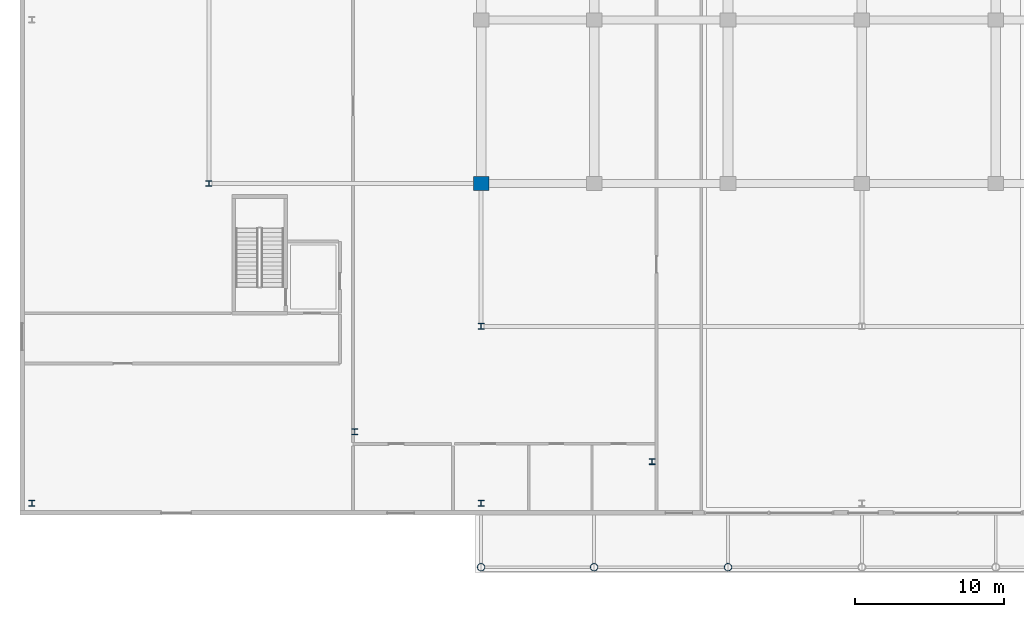
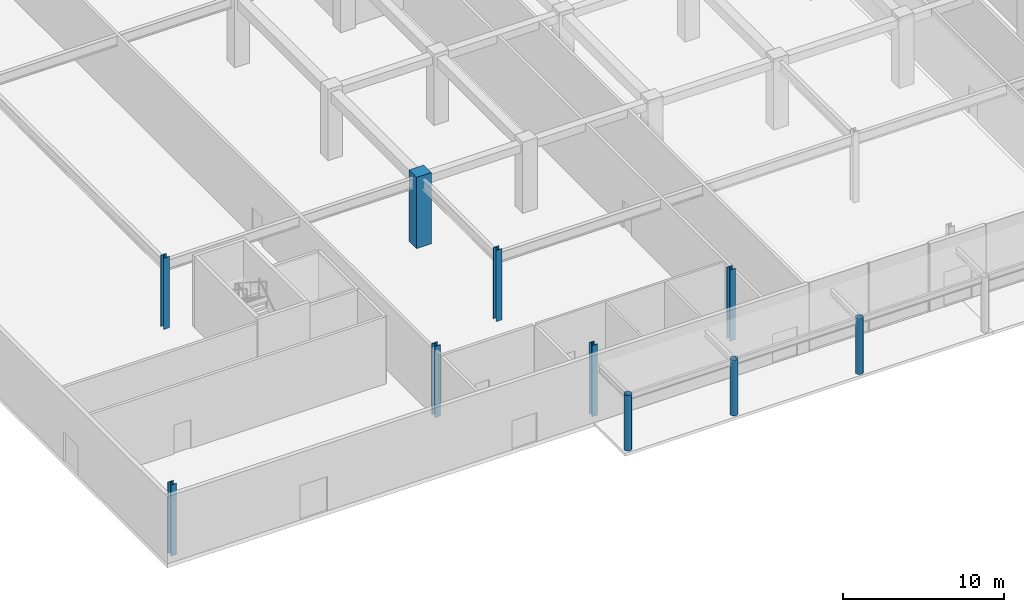
# One storey, part 1 of 46: 10 columns.
"""IFC4 building model written with IfcOpenShell, lengths in metres."""

import ifcopenshell
import ifcopenshell.guid

model = None  # the IFC model being written
_history = None  # IfcOwnerHistory: only IFC2X3 demands one
_inside = {}  # id of a spatial element -> (the spatial element, [elements in it])
_under = {}  # id of a project, library or spatial element -> (it, [spatial elements below it])
_declared = {}  # id of a project -> (the project, [libraries it declares])
_typed = {}  # id of a type object -> (the type object, [elements of that type])
_made_of = {}  # id of a material, layer set ... -> (it, [elements and type objects made of it])


def new_model(schema):
    """Start an empty IFC model of exactly this schema.

    Asked for "IFC4X3", IfcOpenShell would pick the latest addendum, in which some entities
    have other attributes; the version numbers below select the first issue.
    IFC2X3 requires an IfcOwnerHistory on every rooted entity: one is made here for all.
    """
    global model, _history
    if schema == "IFC4X3":
        model = ifcopenshell.file(schema_version=(4, 3, 0, 0))
    else:
        model = ifcopenshell.file(schema=schema)
    _inside.clear()
    _under.clear()
    _declared.clear()
    _typed.clear()
    _made_of.clear()
    _history = None
    if model.schema == "IFC2X3":
        org = make("IfcOrganization", Name="unknown")
        user = make(
            "IfcPersonAndOrganization",
            ThePerson=make("IfcPerson", FamilyName="unknown"),
            TheOrganization=org,
        )
        app = make(
            "IfcApplication",
            ApplicationDeveloper=org,
            Version="unknown",
            ApplicationFullName="unknown",
            ApplicationIdentifier="unknown",
        )
        _history = make(
            "IfcOwnerHistory",
            OwningUser=user,
            OwningApplication=app,
            ChangeAction="ADDED",
            CreationDate=0,
        )
    return model


def make(cls, **values):
    """One entity of the class cls with the attributes given. An attribute that is None is left unset."""
    return model.create_entity(
        cls, **{name: value for name, value in values.items() if value is not None}
    )


def rooted(cls, **values):
    """An entity with a GlobalId (a new one), such as an element, a storey or a relation."""
    return make(cls, GlobalId=ifcopenshell.guid.new(), OwnerHistory=_history, **values)


def si_unit(unit_type, name, prefix=None):
    """IfcSIUnit, for example si_unit("LENGTHUNIT", "METRE", prefix="MILLI")."""
    return make("IfcSIUnit", UnitType=unit_type, Prefix=prefix, Name=name)


def assignment(units):
    """IfcUnitAssignment: the units of a project."""
    return None if units is None else make("IfcUnitAssignment", Units=units)


def point(xyz):
    """IfcCartesianPoint."""
    return None if xyz is None else make("IfcCartesianPoint", Coordinates=xyz)


def direction(xyz):
    """IfcDirection."""
    return None if xyz is None else make("IfcDirection", DirectionRatios=xyz)


def frame(location, z_axis=None, x_axis=None):
    """IfcAxis2Placement3D, a coordinate frame: its origin and axes. An axis left out is left unset."""
    return make(
        "IfcAxis2Placement3D",
        Location=point(location),
        Axis=direction(z_axis),
        RefDirection=direction(x_axis),
    )


def frame_2d(location, x_axis=None):
    """IfcAxis2Placement2D, a coordinate frame in the plane: its origin and x axis."""
    return make(
        "IfcAxis2Placement2D", Location=point(location), RefDirection=direction(x_axis)
    )


def origin():
    """The frame at (0, 0, 0) with its axes left unset."""
    return frame((0.0, 0.0, 0.0))


def origin_2d():
    """The frame at (0, 0) in the plane with its x axis left unset."""
    return frame_2d((0.0, 0.0))


def place(relative_to, where):
    """IfcLocalPlacement: puts the frame where relative to a parent placement (None: the world)."""
    return make(
        "IfcLocalPlacement", PlacementRelTo=relative_to, RelativePlacement=where
    )


def context(
    kind, dimensions, precision=None, world=None, true_north=None, identifier=None
):
    """IfcGeometricRepresentationContext, for example the 3D "Model" context."""
    return make(
        "IfcGeometricRepresentationContext",
        ContextIdentifier=identifier,
        ContextType=kind,
        CoordinateSpaceDimension=dimensions,
        Precision=precision,
        WorldCoordinateSystem=world,
        TrueNorth=true_north,
    )


def subcontext(parent, identifier, kind, view, scale=None):
    """IfcGeometricRepresentationSubContext, for example "Body" below "Model"."""
    return make(
        "IfcGeometricRepresentationSubContext",
        ContextIdentifier=identifier,
        ContextType=kind,
        ParentContext=parent,
        TargetScale=scale,
        TargetView=view,
    )


def project(units=None, contexts=None):
    """IfcProject with its units and contexts."""
    return rooted(
        "IfcProject",
        Name="project",
        RepresentationContexts=contexts,
        UnitsInContext=assignment(units),
    )


def spatial(cls, under=None, at=None, **own):
    """A site, building, storey or space (cls), placed at a placement, below another one or the project."""
    s = rooted(cls, ObjectPlacement=at, **own)
    if under is not None:
        _under.setdefault(under.id(), (under, []))[1].append(s)
    return s


def profile(cls, at=None, kind="AREA", **sizes):
    """A parametric profile (cls). Its sizes go by their IFC names, for example OverallWidth=200.0."""
    return make(cls, ProfileType=kind, Position=at, **sizes)


def rectangle(**sizes):
    """IfcRectangleProfileDef."""
    return profile("IfcRectangleProfileDef", **sizes)


def hollow_circle(**sizes):
    """IfcCircleHollowProfileDef."""
    return profile("IfcCircleHollowProfileDef", **sizes)


def i_section(**sizes):
    """IfcIShapeProfileDef."""
    return profile("IfcIShapeProfileDef", **sizes)


def extrude(swept, where, along, depth):
    """IfcExtrudedAreaSolid: the profile swept, set in the frame where, extruded along a direction by depth."""
    return make(
        "IfcExtrudedAreaSolid",
        SweptArea=swept,
        Position=where,
        ExtrudedDirection=direction(along),
        Depth=depth,
    )


def shape(context_of_items, identifier, shape_type, items):
    """IfcShapeRepresentation: the items that make up one representation, for example the "Body"."""
    return make(
        "IfcShapeRepresentation",
        ContextOfItems=context_of_items,
        RepresentationIdentifier=identifier,
        RepresentationType=shape_type,
        Items=items,
    )


def material(Name=None, Category=None):
    """IfcMaterial."""
    return make("IfcMaterial", Name=Name, Category=Category)


def material_profile(
    of_material, cross_section, Name=None, Category=None, Priority=None
):
    """IfcMaterialProfile: a cross section and its material."""
    return make(
        "IfcMaterialProfile",
        Name=Name,
        Material=of_material,
        Profile=cross_section,
        Priority=Priority,
        Category=Category,
    )


def profile_set(profiles, Name=None, composite=None):
    """IfcMaterialProfileSet."""
    return make(
        "IfcMaterialProfileSet",
        Name=Name,
        MaterialProfiles=profiles,
        CompositeProfile=composite,
    )


def made_of(thing, what):
    """Note that an element or type object is made of a material, layer set ...; save() writes the relation."""
    if what is not None:
        _made_of.setdefault(what.id(), (what, []))[1].append(thing)
    return thing


def type_object(cls, material=None, **own):
    """A type object (cls), such as IfcWallType, which elements share."""
    return made_of(rooted(cls, **own), material)


def element(
    cls,
    number,
    at=None,
    inside=None,
    cuts=None,
    type_object=None,
    material=None,
    context=None,
    identifier="Body",
    shape_type=None,
    held_by="IfcProductDefinitionShape",
    body=None,
    shapes=None,
    **own,
):
    """One element of the class cls, such as IfcWall. Its Tag is "e" and its number.

    at: its placement. inside: the storey or other place that contains it. cuts: it is an
    opening in that element (IfcRelVoidsElement). A single representation is given by context,
    identifier, shape_type and body (its items); several are given by shapes. held_by: the class
    of the entity that holds the representations. save() writes the other relations.
    """
    e = rooted(cls, Tag="e%d" % number, ObjectPlacement=at, **own)
    if body is not None:
        shapes = [shape(context, identifier, shape_type, body)]
    if shapes is not None:
        e.Representation = make(held_by, Representations=shapes)
    if inside is not None:
        _inside.setdefault(inside.id(), (inside, []))[1].append(e)
    if cuts is not None:
        rooted(
            "IfcRelVoidsElement", RelatingBuildingElement=cuts, RelatedOpeningElement=e
        )
    if type_object is not None:
        _typed.setdefault(type_object.id(), (type_object, []))[1].append(e)
    return made_of(e, material)


def aggregate(whole, parts):
    """IfcRelAggregates: a whole, such as a stair, and the parts it consists of."""
    return rooted("IfcRelAggregates", RelatingObject=whole, RelatedObjects=parts)


def save(model, path):
    """Write the relations noted so far, then the file.

    IfcRelAggregates (storeys below a building ...), IfcRelContainedInSpatialStructure (elements
    in a storey), IfcRelDefinesByType, IfcRelAssociatesMaterial and IfcRelDeclares: one each for
    every whole, place, type object, material and project.
    """
    for whole, parts in _under.values():
        aggregate(whole, parts)
    for where, things in _inside.values():
        rooted(
            "IfcRelContainedInSpatialStructure",
            RelatedElements=things,
            RelatingStructure=where,
        )
    for kind, things in _typed.values():
        rooted("IfcRelDefinesByType", RelatedObjects=things, RelatingType=kind)
    for what, things in _made_of.values():
        rooted("IfcRelAssociatesMaterial", RelatedObjects=things, RelatingMaterial=what)
    for by, libraries in _declared.values():
        rooted("IfcRelDeclares", RelatingContext=by, RelatedDefinitions=libraries)
    model.write(path)


model = new_model("IFC4")

# Units and contexts
model_context = context("Model", 3, precision=1e-05, world=origin(), true_north=direction((0.0, 1.0)))
body_context = subcontext(model_context, "Body", "Model", "MODEL_VIEW")
ifc_project = project(units=[si_unit("LENGTHUNIT", "METRE"), si_unit("AREAUNIT", "SQUARE_METRE"), si_unit("VOLUMEUNIT", "CUBIC_METRE"), si_unit("PLANEANGLEUNIT", "RADIAN"), si_unit("MASSUNIT", "GRAM", prefix="KILO")], contexts=[model_context])

# Site, building, storey
site_placement = place(None, origin())
site = spatial("IfcSite", under=ifc_project, at=site_placement, CompositionType="ELEMENT")
building_placement = place(site_placement, origin())
building = spatial("IfcBuilding", under=site, at=building_placement, Name="Korimba Cascade Residences", CompositionType="ELEMENT")
storey_placement = place(building_placement, origin())
storey = spatial("IfcBuildingStorey", under=building, at=storey_placement, Name="L00", CompositionType="ELEMENT", Elevation=0.0)

# Columns
ifc_material_1 = material(Name="Concrete C80/95", Category="concrete")
ifc_material_profile_1 = material_profile(ifc_material_1, rectangle(XDim=1.050048828125, YDim=0.949951171875, at=origin_2d()), Name="Concrete C80/95")
ifc_profile_set_1 = profile_set([ifc_material_profile_1], Name="Concrete C80/95")
column_type_1 = type_object("IfcColumnType", Name="COL-RC-1050", PredefinedType="COLUMN", material=ifc_profile_set_1)
column_placement = place(storey_placement, frame((74.5, -4.199951171875, 0.0), z_axis=(0.0, 0.0, 1.0), x_axis=(1.0, 0.0, 0.0)))
element("IfcColumn", 1, at=column_placement, inside=storey, type_object=column_type_1, Name="L00 Tower 2 Column 1.1", PredefinedType="COLUMN", context=body_context, shape_type="SweptSolid", body=[
    extrude(rectangle(XDim=1.050048828125, YDim=0.949951171875, at=origin_2d()), origin(), (0.0, 0.0, 1.0), 5.39990234375),
])
ifc_material_2 = material(Name="Steel S355", Category="steel")
ifc_material_profile_2 = material_profile(ifc_material_2, hollow_circle(Radius=0.25390625, WallThickness=0.01611328125, at=origin_2d()), Name="Steel S355")
ifc_profile_set_2 = profile_set([ifc_material_profile_2], Name="Steel S355")
column_type_2 = type_object("IfcColumnType", Name="COL-STL-CHS508", PredefinedType="COLUMN", material=ifc_profile_set_2)
for number, where, z_axis, x_axis, name in (
    (2, (74.5, -30.0, 0.0), (0.0, 0.0, 1.0), (1.0, 0.0, 0.0), "Entrance Canopy Column 1"),
    (3, (82.10009765625, -30.0, 0.0), (0.0, 0.0, 1.0), (1.0, 0.0, 0.0), "Entrance Canopy Column 2"),
    (4, (91.10009765625, -30.0, 0.0), (0.0, 0.0, 1.0), (1.0, 0.0, 0.0), "Entrance Canopy Column 3"),
):
    element("IfcColumn", number, at=place(storey_placement, frame(where, z_axis=z_axis, x_axis=x_axis)), inside=storey, type_object=column_type_2, Name=name, PredefinedType="COLUMN", context=body_context, shape_type="SweptSolid", body=[
        extrude(hollow_circle(Radius=0.25390625, WallThickness=0.01611328125, at=origin_2d()), origin(), (0.0, 0.0, 1.0), 4.199951171875),
    ])
ifc_material_profile_3 = material_profile(ifc_material_2, i_section(OverallWidth=0.39892578125, OverallDepth=0.3935546875, WebThickness=0.022705078125, FlangeThickness=0.03662109375, FilletRadius=0.01513671875, at=origin_2d()), Name="Steel S355")
ifc_profile_set_3 = profile_set([ifc_material_profile_3], Name="Steel S355")
column_type_3 = type_object("IfcColumnType", Name="COL-STL-UC287", PredefinedType="COLUMN", material=ifc_profile_set_3)
for number, where, z_axis, x_axis, name in (
    (5, (56.199951171875, -4.199951171875, 0.0), (0.0, 0.0, 1.0), (1.0, 0.0, 0.0), "L00 Podium Column PCW1"),
    (6, (74.5, -13.800048828125, 0.0), (0.0, 0.0, 1.0), (1.0, 0.0, 0.0), "L00 Podium Column PCS1"),
    (7, (86.0, -22.89990234375, 0.0), (0.0, 0.0, 1.0), (1.0, 0.0, 0.0), "L00 Podium Column PTS1"),
    (8, (66.0, -20.89990234375, 0.0), (0.0, 0.0, 1.0), (1.0, 0.0, 0.0), "L00 Podium Column PTS3"),
    (9, (44.300048828125, -25.699951171875, 0.0), (0.0, 0.0, 1.0), (1.0, 0.0, 0.0), "L00 Podium Column PLW1"),
    (10, (74.5, -25.699951171875, 0.0), (0.0, 0.0, 1.0), (1.0, 0.0, 0.0), "L00 Podium Column PLS1"),
):
    element("IfcColumn", number, at=place(storey_placement, frame(where, z_axis=z_axis, x_axis=x_axis)), inside=storey, type_object=column_type_3, Name=name, PredefinedType="COLUMN", context=body_context, shape_type="SweptSolid", body=[
        extrude(i_section(OverallWidth=0.39892578125, OverallDepth=0.3935546875, WebThickness=0.022705078125, FlangeThickness=0.03662109375, FilletRadius=0.01513671875, at=origin_2d()), origin(), (0.0, 0.0, 1.0), 5.39990234375),
    ])

save(model, "model.ifc")
